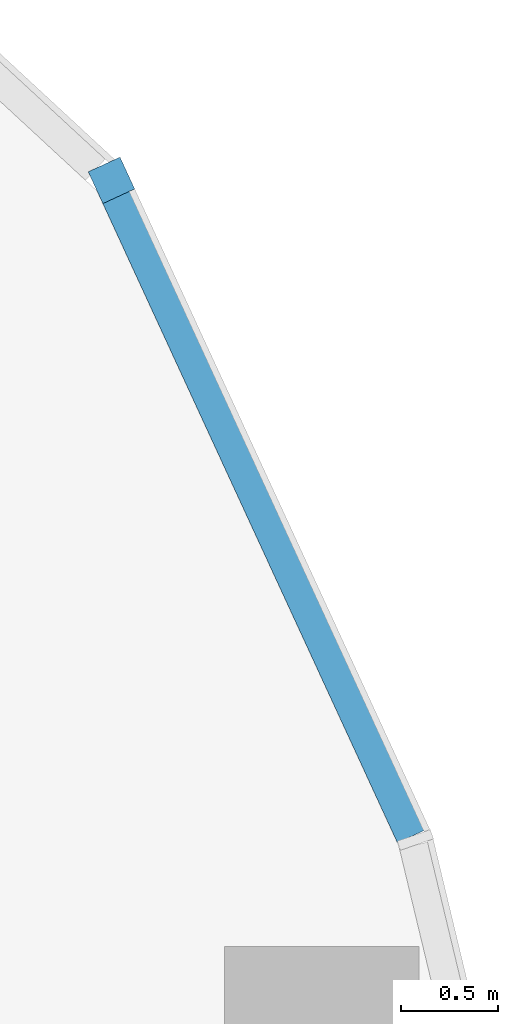
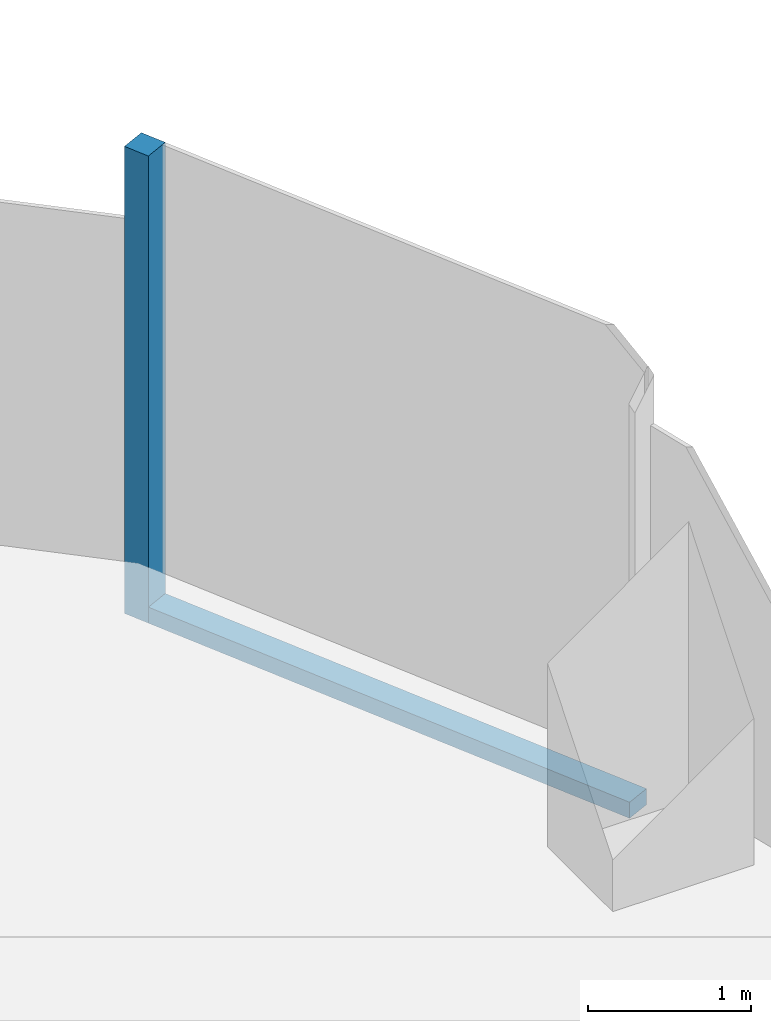
# One storey, part 10 of 23: 2 members, 1 element without a shape of its own.
"""IFC4 building model written with IfcOpenShell, lengths in metres."""

from ifc_helpers import new_model, si_unit, direction, frame, origin, origin_2d, place, context, subcontext, project, spatial, rectangle, extrude, material, material_profile, profile_set, type_object, element, aggregate, save


model = new_model("IFC4")

# Units and contexts
model_context = context("Model", 3, precision=1e-05, world=origin(), true_north=direction((0.0, 1.0)))
body_context = subcontext(model_context, "Body", "Model", "MODEL_VIEW")
ifc_project = project(units=[si_unit("LENGTHUNIT", "METRE"), si_unit("AREAUNIT", "SQUARE_METRE"), si_unit("VOLUMEUNIT", "CUBIC_METRE"), si_unit("PLANEANGLEUNIT", "RADIAN"), si_unit("MASSUNIT", "GRAM", prefix="KILO")], contexts=[model_context])

# Site, building, storey
site_placement = place(None, origin())
site = spatial("IfcSite", under=ifc_project, at=site_placement, CompositionType="ELEMENT")
building_placement = place(site_placement, origin())
building = spatial("IfcBuilding", under=site, at=building_placement, Name="Orlundy Tower", CompositionType="ELEMENT")
storey_placement = place(building_placement, frame((0.0, 0.0, 224.5)))
storey = spatial("IfcBuildingStorey", under=building, at=storey_placement, Name="L59", CompositionType="ELEMENT", Elevation=224.5)

# Curtain wall, members
ifc_material_1 = material(Name="Aluminium bronze anodised", Category="aluminium")
curtain_wall_type = type_object("IfcCurtainWallType", Name="CW1 wall", PredefinedType="NOTDEFINED", material=ifc_material_1)
curtain_wall_placement = place(storey_placement, origin())
curtain_wall = element("IfcCurtainWall", 1, at=curtain_wall_placement, inside=storey, type_object=curtain_wall_type, Name="CW1 run 010", PredefinedType="NOTDEFINED")
ifc_material_2 = material(Name="Aluminium bronze anodised", Category="aluminium")
ifc_material_profile_1 = material_profile(ifc_material_2, rectangle(XDim=0.179931640625, YDim=0.179931640625, at=origin_2d()), Name="CW1 corner post 180x180")
ifc_profile_set_1 = profile_set([ifc_material_profile_1], Name="Aluminium bronze anodised")
member_type_1 = type_object("IfcMemberType", Name="CW1 corner post 180x180", PredefinedType="MULLION", material=ifc_profile_set_1)
member_1_placement = place(storey_placement, frame((34.480224609375, 22.850830078125, -0.419921875), z_axis=(0.0, 0.0, 1.0), x_axis=(0.908219817192, 0.418493445182, 0.0)))
member_1 = element("IfcMember", 2, at=member_1_placement, type_object=member_type_1, Name="CW1 mullion 27", PredefinedType="MULLION", context=body_context, shape_type="SweptSolid", body=[
    extrude(rectangle(XDim=0.179931640625, YDim=0.179931640625, at=origin_2d()), origin(), (0.0, 0.0, 1.0), 3.5),
])
ifc_material_3 = material(Name="Aluminium bronze anodised", Category="aluminium")
ifc_material_profile_2 = material_profile(ifc_material_3, rectangle(XDim=0.179931640625, YDim=0.1201171875, at=origin_2d()), Name="CW1 transom 180x120")
ifc_profile_set_2 = profile_set([ifc_material_profile_2], Name="Aluminium bronze anodised")
member_type_2 = type_object("IfcMemberType", Name="CW1 transom 180x120", PredefinedType="USERDEFINED", material=ifc_profile_set_2)
member_2_placement = place(storey_placement, frame((34.517822265625, 22.769287109375, -0.360107421875), z_axis=(0.418510361894, -0.908212022045, 0.0), x_axis=(0.908212022045, 0.418510361894, 0.0)))
member_2 = element("IfcMember", 3, at=member_2_placement, type_object=member_type_2, Name="CW1 transom", ObjectType="TRANSOM", PredefinedType="USERDEFINED", context=body_context, shape_type="SweptSolid", body=[
    extrude(rectangle(XDim=0.179931640625, YDim=0.1201171875, at=origin_2d()), origin(), (0.0, 0.0, 1.0), 3.617919921875),
])
aggregate(curtain_wall, [member_1, member_2])

save(model, "model.ifc")
